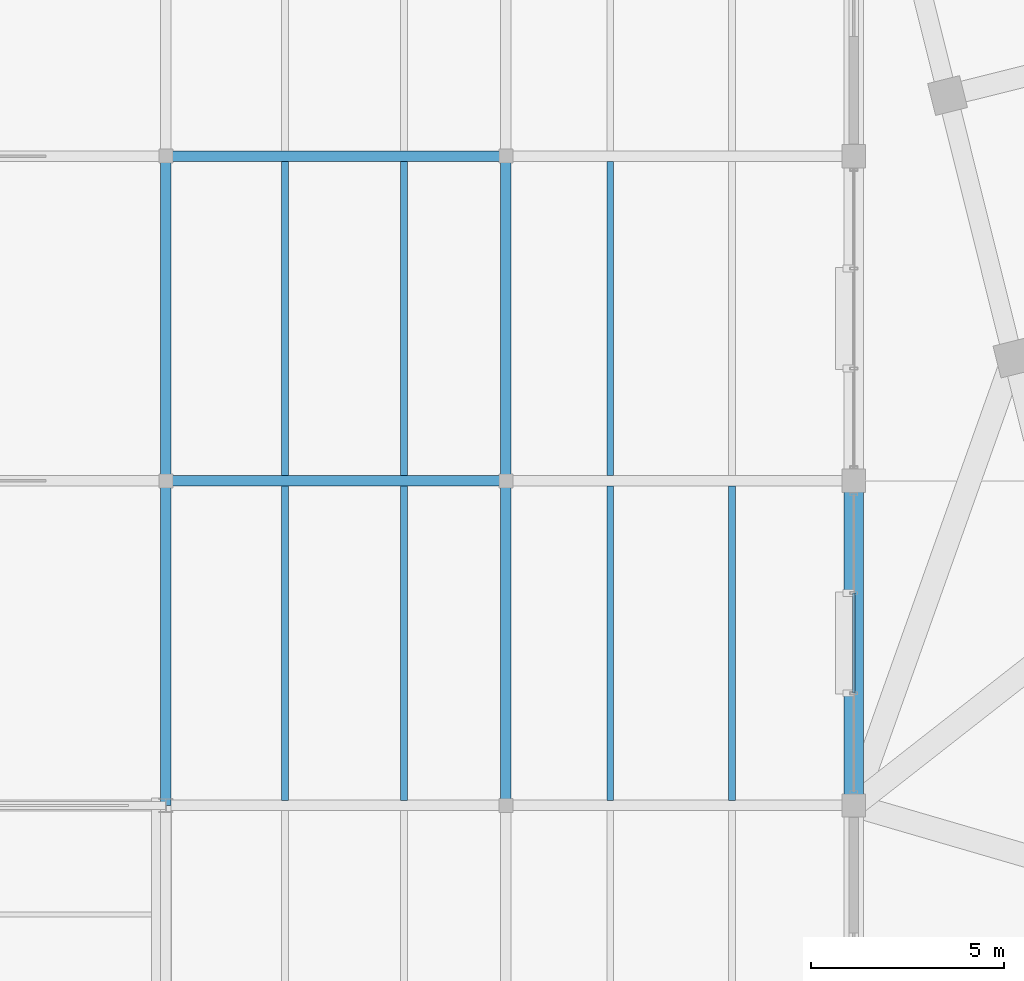
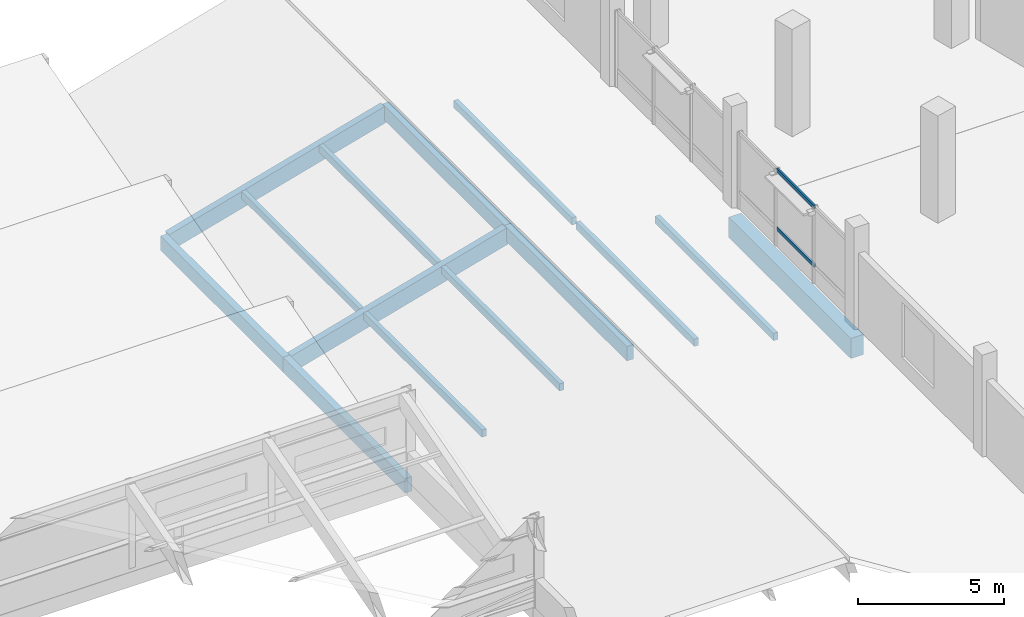
# One storey, part 19 of 77: 9 members, 7 beams, 1 element without a shape of its own.
"""IFC4 building model written with IfcOpenShell, lengths in metres."""

from ifc_helpers import new_model, si_unit, direction, frame, origin, origin_2d, place, context, subcontext, project, spatial, rectangle, hollow_rectangle, extrude, material, layer, layer_set, material_profile, profile_set, type_object, element, aggregate, save


model = new_model("IFC4")

# Units and contexts
model_context = context("Model", 3, precision=1e-05, world=origin(), true_north=direction((0.0, 1.0)))
body_context = subcontext(model_context, "Body", "Model", "MODEL_VIEW")
ifc_project = project(units=[si_unit("LENGTHUNIT", "METRE"), si_unit("AREAUNIT", "SQUARE_METRE"), si_unit("VOLUMEUNIT", "CUBIC_METRE"), si_unit("PLANEANGLEUNIT", "RADIAN"), si_unit("MASSUNIT", "GRAM", prefix="KILO")], contexts=[model_context])

# Site, building, storey
site_placement = place(None, origin())
site = spatial("IfcSite", under=ifc_project, at=site_placement, CompositionType="ELEMENT")
building_placement = place(site_placement, origin())
building = spatial("IfcBuilding", under=site, at=building_placement, Name="Meriwether Solvik Hall", CompositionType="ELEMENT")
storey_placement = place(building_placement, frame((0.0, 0.0, 9.89990234375)))
storey = spatial("IfcBuildingStorey", under=building, at=storey_placement, Name="L02", CompositionType="ELEMENT", Elevation=9.89990234375)

# Beams
ifc_material_1 = material(Name="Glulam Douglas-Fir 24F-V8 GL28h", Category="wood")
ifc_material_profile_1 = material_profile(ifc_material_1, rectangle(XDim=0.27294921875, YDim=0.610107421875, at=origin_2d()), Name="GLB-273X610")
ifc_profile_set_1 = profile_set([ifc_material_profile_1], Name="Glulam Douglas-Fir 24F-V8 GL28h")
beam_type_1 = type_object("IfcBeamType", Name="BM-GL-273X610", PredefinedType="SPANDREL", material=ifc_profile_set_1)
beam_1_placement = place(storey_placement, frame((41.60009765625, 50.0, -0.323974609375), z_axis=(0.0, 1.0, 0.0), x_axis=(-1.0, 0.0, 0.0)))
element("IfcBeam", 1, at=beam_1_placement, inside=storey, type_object=beam_type_1, Name="Roof Tie Beam 5:F-G (L02)", PredefinedType="SPANDREL", context=body_context, shape_type="SweptSolid", body=[
    extrude(rectangle(XDim=0.27294921875, YDim=0.610107421875, at=origin_2d()), origin(), (0.0, 0.0, 1.0), 8.39990234375),
])
beam_2_placement = place(storey_placement, frame((41.60009765625, 58.39990234375, -0.323974609375), z_axis=(0.0, 1.0, 0.0), x_axis=(-1.0, 0.0, 0.0)))
element("IfcBeam", 2, at=beam_2_placement, inside=storey, type_object=beam_type_1, Name="Roof Tie Beam 5:G-H (L02)", PredefinedType="SPANDREL", context=body_context, shape_type="SweptSolid", body=[
    extrude(rectangle(XDim=0.27294921875, YDim=0.610107421875, at=origin_2d()), origin(), (0.0, 0.0, 1.0), 8.400146484375),
])
beam_3_placement = place(storey_placement, frame((50.39990234375, 50.0, 2.135986328125), z_axis=(0.0, 1.0, 0.0), x_axis=(-1.0, 0.0, 0.0)))
element("IfcBeam", 3, at=beam_3_placement, inside=storey, type_object=beam_type_1, Name="Roof Tie Beam 6:F-G (L02)", PredefinedType="SPANDREL", context=body_context, shape_type="SweptSolid", body=[
    extrude(rectangle(XDim=0.27294921875, YDim=0.610107421875, at=origin_2d()), origin(), (0.0, 0.0, 1.0), 8.39990234375),
])
beam_4_placement = place(storey_placement, frame((50.39990234375, 58.39990234375, 2.135986328125), z_axis=(0.0, 1.0, 0.0), x_axis=(-1.0, 0.0, 0.0)))
element("IfcBeam", 4, at=beam_4_placement, inside=storey, type_object=beam_type_1, Name="Roof Tie Beam 6:G-H (L02)", PredefinedType="SPANDREL", context=body_context, shape_type="SweptSolid", body=[
    extrude(rectangle(XDim=0.27294921875, YDim=0.610107421875, at=origin_2d()), origin(), (0.0, 0.0, 1.0), 8.400146484375),
])
ifc_material_2 = material(Name="Glulam Douglas-Fir 24F-V8 GL28h", Category="wood")
ifc_material_profile_2 = material_profile(ifc_material_2, rectangle(XDim=0.27294921875, YDim=0.68505859375, at=origin_2d()), Name="GLB-273X685")
ifc_profile_set_2 = profile_set([ifc_material_profile_2], Name="Glulam Douglas-Fir 24F-V8 GL28h")
beam_type_2 = type_object("IfcBeamType", Name="BM-GL-273X685", PredefinedType="BEAM", material=ifc_profile_set_2)
for number, where, z_axis, x_axis, name in (
    (5, (41.8203125, 58.39990234375, -0.31298828125), (0.963077401933, 0.0, 0.269224660621), (0.0, 1.0, 0.0), "Raking Glulam Roof Rafter w1_east_gbl_w-G (L02)"),
    (6, (41.8203125, 66.800048828125, -0.31298828125), (0.963077401933, 0.0, 0.269224660621), (0.0, 1.0, 0.0), "Raking Glulam Roof Rafter w1_east_gbl_w-H (L02)"),
):
    element("IfcBeam", number, at=place(storey_placement, frame(where, z_axis=z_axis, x_axis=x_axis)), inside=storey, type_object=beam_type_2, Name=name, PredefinedType="BEAM", context=body_context, shape_type="SweptSolid", body=[
        extrude(rectangle(XDim=0.27294921875, YDim=0.68505859375, at=origin_2d()), origin(), (0.0, 0.0, 1.0), 8.87158203125),
    ])
ifc_material_3 = material(Name="Concrete C40/50", Category="concrete")
ifc_material_profile_3 = material_profile(ifc_material_3, rectangle(XDim=0.5, YDim=0.85009765625, at=origin_2d()), Name="RCB-500X850")
ifc_profile_set_3 = profile_set([ifc_material_profile_3], Name="Concrete C40/50")
beam_type_3 = type_object("IfcBeamType", Name="BM-RC-500X850", PredefinedType="BEAM", material=ifc_profile_set_3)
beam_5_placement = place(storey_placement, frame((59.39990234375, 50.0, -0.7548828125), z_axis=(0.0, 1.0, 0.0), x_axis=(-1.0, 0.0, 0.0)))
element("IfcBeam", 7, at=beam_5_placement, inside=storey, type_object=beam_type_3, Name="Podium Girder 7:F-G (L02)", PredefinedType="BEAM", context=body_context, shape_type="SweptSolid", body=[
    extrude(rectangle(XDim=0.5, YDim=0.85009765625, at=origin_2d()), origin(), (0.0, 0.0, 1.0), 8.39990234375),
])

# Curtain wall, members
ifc_material_4 = material(Name="Thermally Broken Anodised Aluminium 6063-T6 and Low-E Glass", Category="aluminium")
ifc_layer = layer(ifc_material_4, 0.179931640625)
ifc_layer_set = layer_set([ifc_layer], Name="Thermally Broken Anodised Aluminium 6063-T6 and Low-E Glass")
curtain_wall_type = type_object("IfcCurtainWallType", Name="CW-SF-POD-C", PredefinedType="USERDEFINED", material=ifc_layer_set)
curtain_wall_placement = place(storey_placement, origin())
curtain_wall = element("IfcCurtainWall", 8, at=curtain_wall_placement, inside=storey, type_object=curtain_wall_type, Name="Curtain Wall wing_Y7_6_29 (L02)", ObjectType="STICK STOREFRONT GLAZING", PredefinedType="USERDEFINED")
ifc_material_5 = material(Name="Anodised Aluminium 6063-T6", Category="aluminium")
ifc_material_profile_4 = material_profile(ifc_material_5, hollow_rectangle(XDim=0.070068359375, YDim=0.14990234375, WallThickness=0.0048828125, at=origin_2d()), Name="CWT-70X150")
ifc_profile_set_4 = profile_set([ifc_material_profile_4], Name="Anodised Aluminium 6063-T6")
member_type_1 = type_object("IfcMemberType", Name="CW-TRN-70X150", PredefinedType="USERDEFINED", material=ifc_profile_set_4)
member_1_placement = place(storey_placement, frame((59.39990234375, 52.904052734375, 0.880126953125), z_axis=(0.0, 1.0, 0.0), x_axis=(-1.0, 0.0, 0.0)))
member_1 = element("IfcMember", 9, at=member_1_placement, type_object=member_type_1, Name="Curtain Wall Transom 2-sill", ObjectType="TRANSOM", PredefinedType="USERDEFINED", context=body_context, shape_type="SweptSolid", body=[
    extrude(hollow_rectangle(XDim=0.070068359375, YDim=0.14990234375, WallThickness=0.0048828125, at=origin_2d()), origin(), (0.0, 0.0, 1.0), 2.592041015625),
])
member_2_placement = place(storey_placement, frame((59.39990234375, 52.904052734375, 3.335205078125), z_axis=(0.0, 1.0, 0.0), x_axis=(-1.0, 0.0, 0.0)))
member_2 = element("IfcMember", 10, at=member_2_placement, type_object=member_type_1, Name="Curtain Wall Transom 2-head", ObjectType="TRANSOM", PredefinedType="USERDEFINED", context=body_context, shape_type="SweptSolid", body=[
    extrude(hollow_rectangle(XDim=0.070068359375, YDim=0.14990234375, WallThickness=0.0048828125, at=origin_2d()), origin(), (0.0, 0.0, 1.0), 2.592041015625),
])
aggregate(curtain_wall, [member_1, member_2])

# Members
ifc_material_6 = material(Name="Glulam Douglas-Fir 24F-V8 GL28h", Category="wood")
ifc_material_profile_5 = material_profile(ifc_material_6, rectangle(XDim=0.175048828125, YDim=0.304931640625, at=origin_2d()), Name="GLM-175X305")
ifc_profile_set_5 = profile_set([ifc_material_profile_5], Name="Glulam Douglas-Fir 24F-V8 GL28h")
member_type_2 = type_object("IfcMemberType", Name="MEM-PRL-GL175", PredefinedType="PURLIN", material=ifc_profile_set_5)
for number, where, z_axis, x_axis, name in (
    (11, (44.679931640625, 50.132568359375, 0.689453125), (0.0, 1.0, 0.0), (-1.0, 0.0, 0.0), "Sloped Roof Glulam Purlin w1_east_gbl_w-6.1"),
    (12, (47.760009765625, 50.132568359375, 1.550537109375), (0.0, 1.0, 0.0), (-1.0, 0.0, 0.0), "Sloped Roof Glulam Purlin w1_east_gbl_w-6.2"),
    (13, (44.679931640625, 58.532470703125, 0.689453125), (0.0, 1.0, 0.0), (-1.0, 0.0, 0.0), "Sloped Roof Glulam Purlin w1_east_gbl_w-7.1"),
    (14, (47.760009765625, 58.532470703125, 1.550537109375), (0.0, 1.0, 0.0), (-1.0, 0.0, 0.0), "Sloped Roof Glulam Purlin w1_east_gbl_w-7.2"),
    (15, (56.25, 50.132568359375, 0.689697265625), (0.0, 1.0, 0.0), (-1.0, 0.0, 0.0), "Sloped Roof Glulam Purlin w1_east_gbl_e-6.1"),
    (16, (53.10009765625, 50.132568359375, 1.55078125), (0.0, 1.0, 0.0), (-1.0, 0.0, 0.0), "Sloped Roof Glulam Purlin w1_east_gbl_e-6.2"),
    (17, (53.10009765625, 58.532470703125, 1.55078125), (0.0, 1.0, 0.0), (-1.0, 0.0, 0.0), "Sloped Roof Glulam Purlin w1_east_gbl_e-7.2"),
):
    element("IfcMember", number, at=place(storey_placement, frame(where, z_axis=z_axis, x_axis=x_axis)), inside=storey, type_object=member_type_2, Name=name, PredefinedType="PURLIN", context=body_context, shape_type="SweptSolid", body=[
        extrude(rectangle(XDim=0.175048828125, YDim=0.304931640625, at=origin_2d()), origin(), (0.0, 0.0, 1.0), 8.135009765625),
    ])

save(model, "model.ifc")
